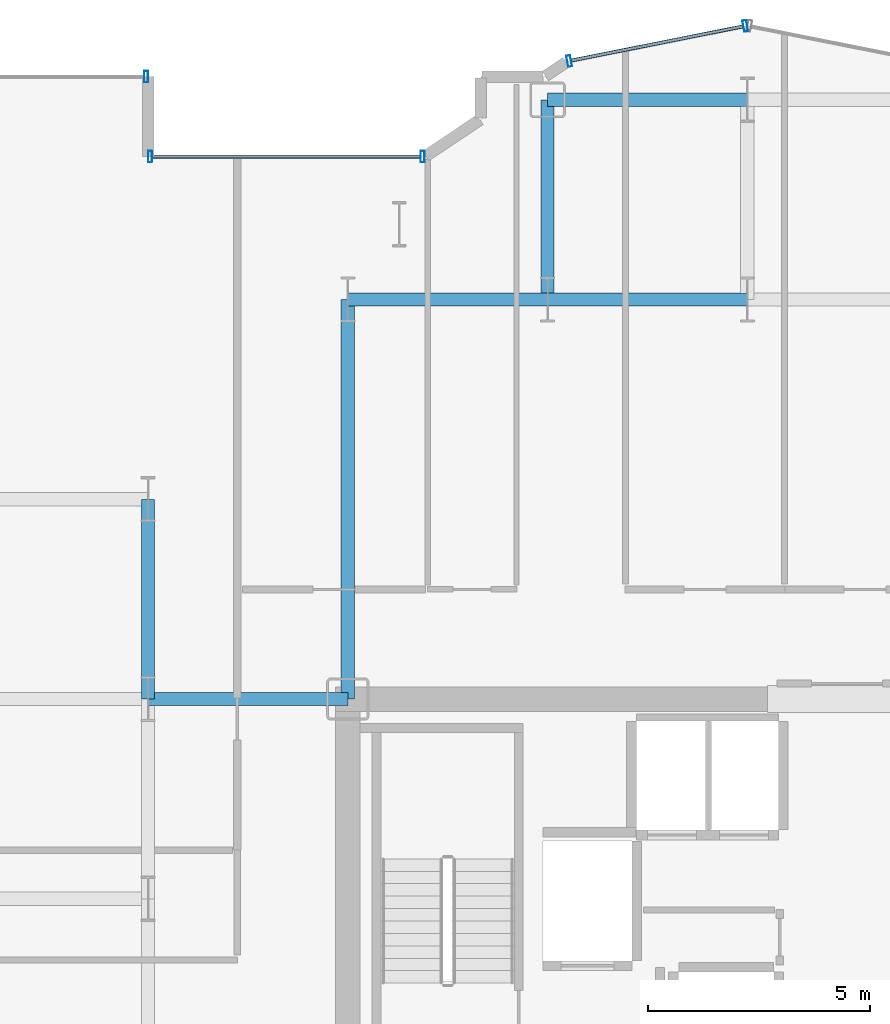
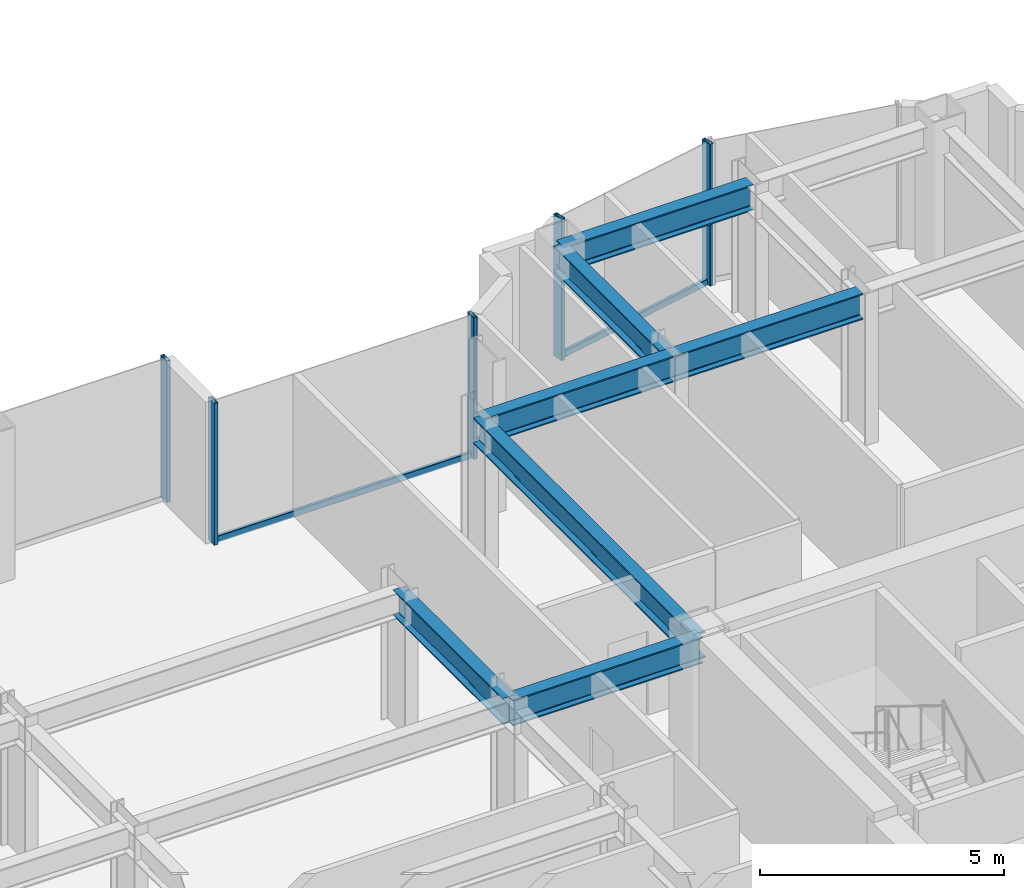
# One storey, part 10 of 26: 7 beams, 7 members, 3 elements without a shape of their own.
"""IFC4 building model written with IfcOpenShell, lengths in metres."""

from ifc_helpers import new_model, si_unit, direction, frame, origin, origin_2d, place, context, subcontext, project, spatial, hollow_rectangle, i_section, extrude, source, transform, mapped, material, layer, layer_set, material_profile, profile_set, type_object, element, aggregate, save


model = new_model("IFC4")

# Units and contexts
model_context = context("Model", 3, precision=1e-05, world=origin(), true_north=direction((0.0, 1.0)))
body_context = subcontext(model_context, "Body", "Model", "MODEL_VIEW")
ifc_project = project(units=[si_unit("LENGTHUNIT", "METRE"), si_unit("AREAUNIT", "SQUARE_METRE"), si_unit("VOLUMEUNIT", "CUBIC_METRE"), si_unit("PLANEANGLEUNIT", "RADIAN"), si_unit("MASSUNIT", "GRAM", prefix="KILO")], contexts=[model_context])

# Site, building, storey
site_placement = place(None, origin())
site = spatial("IfcSite", under=ifc_project, at=site_placement, CompositionType="ELEMENT")
building_placement = place(site_placement, origin())
building = spatial("IfcBuilding", under=site, at=building_placement, Name="Nefas-Gora Pilgrimage Tower", CompositionType="ELEMENT")
storey_placement = place(building_placement, frame((0.0, 0.0, 132.60009765625)))
storey = spatial("IfcBuildingStorey", under=building, at=storey_placement, Name="L32", CompositionType="ELEMENT", Elevation=132.60009765625)

# Beams
ifc_material_1 = material(Name="Steel S355", Category="steel")
ifc_material_profile_1 = material_profile(ifc_material_1, i_section(OverallWidth=0.300048828125, OverallDepth=0.64990234375, WebThickness=0.01611328125, FlangeThickness=0.031005859375, FilletRadius=0.027099609375, at=origin_2d()), Name="HEB 650")
ifc_profile_set_1 = profile_set([ifc_material_profile_1], Name="Steel S355")
beam_type = type_object("IfcBeamType", Name="BM-GIR-HEB650", PredefinedType="BEAM", material=ifc_profile_set_1)
shared_shape_1 = source(origin(), body_context, "Body", "SweptSolid", [
    extrude(i_section(OverallWidth=0.300048828125, OverallDepth=0.64990234375, WebThickness=0.01611328125, FlangeThickness=0.031005859375, FilletRadius=0.027099609375, at=origin_2d()), origin(), (0.0, 0.0, 1.0), 9.0),
])
beam_placement = place(storey_placement, frame((-11.25, 9.0, 3.224853515625), z_axis=(0.0, 1.0, 0.0), x_axis=(-1.0, 0.0, 0.0)))
element("IfcBeam", 1, at=beam_placement, inside=storey, type_object=beam_type, Name="L32 G-03 beam", PredefinedType="BEAM", context=body_context, shape_type="MappedRepresentation", body=[
    mapped(shared_shape_1, transform((0.0, 0.0, 0.0), x_axis=(1.0, 0.0, 0.0), y_axis=(0.0, 1.0, 0.0), z_axis=(0.0, 0.0, 1.0), scale=1.0)),
])
shared_shape_2 = source(origin(), body_context, "Body", "SweptSolid", [
    extrude(i_section(OverallWidth=0.300048828125, OverallDepth=0.64990234375, WebThickness=0.01611328125, FlangeThickness=0.031005859375, FilletRadius=0.027099609375, at=origin_2d()), origin(), (0.0, 0.0, 1.0), 4.5),
])
for number, where, z_axis, x_axis, name in (
    (2, (-15.75, 9.0, 3.224853515625), (0.0, 1.0, 0.0), (-1.0, 0.0, 0.0), "L32 G-03 beam"),
    (3, (-15.75, 9.0, 3.224853515625), (1.0, 0.0, 0.0), (0.0, 1.0, 0.0), "L32 G-03 beam"),
    (4, (-11.25, 18.0, 3.224853515625), (1.0, 0.0, 0.0), (0.0, 1.0, 0.0), "L32 G-03 beam"),
    (5, (-6.75, 18.0, 3.224853515625), (0.0, 1.0, 0.0), (-1.0, 0.0, 0.0), "L32 G-03 beam"),
    (6, (-6.75, 18.0, 3.224853515625), (1.0, 0.0, 0.0), (0.0, 1.0, 0.0), "L32 G-03 beam"),
    (7, (-6.75, 22.5, 3.224853515625), (1.0, 0.0, 0.0), (0.0, 1.0, 0.0), "L32 G-03 beam"),
):
    element("IfcBeam", number, at=place(storey_placement, frame(where, z_axis=z_axis, x_axis=x_axis)), inside=storey, type_object=beam_type, Name=name, PredefinedType="BEAM", context=body_context, shape_type="MappedRepresentation", body=[
        mapped(shared_shape_2, transform((0.0, 0.0, 0.0), x_axis=(1.0, 0.0, 0.0), y_axis=(0.0, 1.0, 0.0), z_axis=(0.0, 0.0, 1.0), scale=1.0)),
    ])

# Curtain wall, member
ifc_material_2 = material(Name="Dark ceramic-fritted solar-control aluminium-glass curtain wall", Category="aluminium")
ifc_layer_1 = layer(ifc_material_2, 0.219970703125)
ifc_layer_set_1 = layer_set([ifc_layer_1], Name="Dark ceramic-fritted solar-control aluminium-glass curtain wall")
curtain_wall_type_1 = type_object("IfcCurtainWallType", Name="CW-SYS-5", PredefinedType="NOTDEFINED", material=ifc_layer_set_1)
curtain_wall_1_placement = place(storey_placement, origin())
curtain_wall_1 = element("IfcCurtainWall", 8, at=curtain_wall_1_placement, inside=storey, type_object=curtain_wall_type_1, Name="L32 Unitised Curtain Wall CW5", PredefinedType="NOTDEFINED")
ifc_material_3 = material(Name="Anodised architectural aluminium", Category="aluminium")
ifc_material_profile_2 = material_profile(ifc_material_3, hollow_rectangle(XDim=0.080078125, YDim=0.159912109375, WallThickness=0.00439453125, InnerFilletRadius=0.00439453125, OuterFilletRadius=0.009033203125, at=origin_2d()), Name="ALU TRANSOM 80x160")
ifc_profile_set_2 = profile_set([ifc_material_profile_2], Name="Anodised architectural aluminium")
member_type_1 = type_object("IfcMemberType", Name="CWM-TRN-5", PredefinedType="USERDEFINED", material=ifc_profile_set_2)
shared_shape_3 = source(origin(), body_context, "Body", "SweptSolid", [
    extrude(hollow_rectangle(XDim=0.080078125, YDim=0.159912109375, WallThickness=0.00439453125, InnerFilletRadius=0.00439453125, OuterFilletRadius=0.009033203125, at=origin_2d()), origin(), (0.0, 0.0, 1.0), 6.052001953125),
])
member_1_placement = place(storey_placement, frame((-9.60791015625, 21.219970703125, 0.0498046875), z_axis=(-1.0, 0.0, 0.0), x_axis=(0.0, -1.0, 0.0)))
member_1 = element("IfcMember", 9, at=member_1_placement, type_object=member_type_1, Name="CW5 Spandrel Transom", ObjectType="TRANSOM", PredefinedType="USERDEFINED", context=body_context, shape_type="MappedRepresentation", body=[
    mapped(shared_shape_3, transform((0.0, 0.0, 0.0), x_axis=(1.0, 0.0, 0.0), y_axis=(0.0, 1.0, 0.0), z_axis=(0.0, 0.0, 1.0), scale=1.0)),
])

# Curtain wall, members
curtain_wall_2_placement = place(storey_placement, origin())
curtain_wall_2 = element("IfcCurtainWall", 10, at=curtain_wall_2_placement, inside=storey, type_object=curtain_wall_type_1, Name="L32 Unitised Curtain Wall CW5", PredefinedType="NOTDEFINED")
shared_shape_4 = source(origin(), body_context, "Body", "SweptSolid", [
    extrude(hollow_rectangle(XDim=0.080078125, YDim=0.159912109375, WallThickness=0.00439453125, InnerFilletRadius=0.00439453125, OuterFilletRadius=0.009033203125, at=origin_2d()), origin(), (0.0, 0.0, 1.0), 3.95654296875),
])
member_2_placement = place(storey_placement, frame((-2.33837890625, 24.15478515625, 0.0498046875), z_axis=(-0.980781880918, -0.195107411605, 0.0), x_axis=(0.195107411605, -0.980781880918, 0.0)))
member_2 = element("IfcMember", 11, at=member_2_placement, type_object=member_type_1, Name="CW5 Spandrel Transom", ObjectType="TRANSOM", PredefinedType="USERDEFINED", context=body_context, shape_type="MappedRepresentation", body=[
    mapped(shared_shape_4, transform((0.0, 0.0, 0.0), x_axis=(1.0, 0.0, 0.0), y_axis=(0.0, 1.0, 0.0), z_axis=(0.0, 0.0, 1.0), scale=1.0)),
])
ifc_material_profile_3 = material_profile(ifc_material_3, hollow_rectangle(XDim=0.090087890625, YDim=0.260009765625, WallThickness=0.006103515625, InnerFilletRadius=0.006103515625, OuterFilletRadius=0.011962890625, at=origin_2d()), Name="ALU MULLION 90x260")
ifc_profile_set_3 = profile_set([ifc_material_profile_3], Name="Anodised architectural aluminium")
member_type_2 = type_object("IfcMemberType", Name="CWM-MUL-5", PredefinedType="MULLION", material=ifc_profile_set_3)
shared_shape_5 = source(origin(), body_context, "Body", "SweptSolid", [
    extrude(hollow_rectangle(XDim=0.090087890625, YDim=0.260009765625, WallThickness=0.006103515625, InnerFilletRadius=0.006103515625, OuterFilletRadius=0.011962890625, at=origin_2d()), origin(), (0.0, 0.0, 1.0), 3.5498046875),
])
member_3_placement = place(storey_placement, frame((-2.294189453125, 24.16357421875, 0.0), z_axis=(0.0, 0.0, 1.0), x_axis=(-0.980782896852, -0.195102304554, 0.0)))
member_3 = element("IfcMember", 12, at=member_3_placement, type_object=member_type_2, Name="CW5 Mullion 1", PredefinedType="MULLION", context=body_context, shape_type="MappedRepresentation", body=[
    mapped(shared_shape_5, transform((0.0, 0.0, 0.0), x_axis=(1.0, 0.0, 0.0), y_axis=(0.0, 1.0, 0.0), z_axis=(0.0, 0.0, 1.0), scale=1.0)),
])
member_4_placement = place(storey_placement, frame((-6.26318359375, 23.3740234375, 0.0), z_axis=(0.0, 0.0, 1.0), x_axis=(-0.980782896852, -0.195102304554, 0.0)))
member_4 = element("IfcMember", 13, at=member_4_placement, type_object=member_type_2, Name="CW5 Mullion 2", PredefinedType="MULLION", context=body_context, shape_type="MappedRepresentation", body=[
    mapped(shared_shape_5, transform((0.0, 0.0, 0.0), x_axis=(1.0, 0.0, 0.0), y_axis=(0.0, 1.0, 0.0), z_axis=(0.0, 0.0, 1.0), scale=1.0)),
])
aggregate(curtain_wall_2, [member_3, member_4, member_2])

# Member
member_5_placement = place(storey_placement, frame((-9.56298828125, 21.219970703125, 0.0), z_axis=(0.0, 0.0, 1.0), x_axis=(-1.0, 0.0, 0.0)))
member_5 = element("IfcMember", 14, at=member_5_placement, type_object=member_type_2, Name="CW5 Mullion 1", PredefinedType="MULLION", context=body_context, shape_type="MappedRepresentation", body=[
    mapped(shared_shape_5, transform((0.0, 0.0, 0.0), x_axis=(1.0, 0.0, 0.0), y_axis=(0.0, 1.0, 0.0), z_axis=(0.0, 0.0, 1.0), scale=1.0)),
])

member_6_placement = place(storey_placement, frame((-15.705078125, 21.219970703125, 0.0), z_axis=(0.0, 0.0, 1.0), x_axis=(-1.0, 0.0, 0.0)))
member_6 = element("IfcMember", 15, at=member_6_placement, type_object=member_type_2, Name="CW5 Mullion 2", PredefinedType="MULLION", context=body_context, shape_type="MappedRepresentation", body=[
    mapped(shared_shape_5, transform((0.0, 0.0, 0.0), x_axis=(1.0, 0.0, 0.0), y_axis=(0.0, 1.0, 0.0), z_axis=(0.0, 0.0, 1.0), scale=1.0)),
])

aggregate(curtain_wall_1, [member_5, member_6, member_1])

# Curtain wall, member
ifc_layer_2 = layer(ifc_material_2, 0.219970703125)
ifc_layer_set_2 = layer_set([ifc_layer_2], Name="Dark ceramic-fritted solar-control aluminium-glass curtain wall")
curtain_wall_type_2 = type_object("IfcCurtainWallType", Name="CW-SYS-2", PredefinedType="NOTDEFINED", material=ifc_layer_set_2)
curtain_wall_3_placement = place(storey_placement, origin())
curtain_wall_3 = element("IfcCurtainWall", 16, at=curtain_wall_3_placement, inside=storey, type_object=curtain_wall_type_2, Name="L32 Unitised Curtain Wall CW2", PredefinedType="NOTDEFINED")
ifc_material_profile_4 = material_profile(ifc_material_3, hollow_rectangle(XDim=0.090087890625, YDim=0.260009765625, WallThickness=0.006103515625, InnerFilletRadius=0.006103515625, OuterFilletRadius=0.011962890625, at=origin_2d()), Name="ALU MULLION 90x260")
ifc_profile_set_4 = profile_set([ifc_material_profile_4], Name="Anodised architectural aluminium")
member_type_3 = type_object("IfcMemberType", Name="CWM-MUL-2", PredefinedType="MULLION", material=ifc_profile_set_4)
shared_shape_6 = source(origin(), body_context, "Body", "SweptSolid", [
    extrude(hollow_rectangle(XDim=0.090087890625, YDim=0.260009765625, WallThickness=0.006103515625, InnerFilletRadius=0.006103515625, OuterFilletRadius=0.011962890625, at=origin_2d()), origin(), (0.0, 0.0, 1.0), 3.5498046875),
])
member_7_placement = place(storey_placement, frame((-15.794921875, 23.02001953125, 0.0), z_axis=(0.0, 0.0, 1.0), x_axis=(-1.0, 0.0, 0.0)))
member_7 = element("IfcMember", 17, at=member_7_placement, type_object=member_type_3, Name="CW2 Mullion 1", PredefinedType="MULLION", context=body_context, shape_type="MappedRepresentation", body=[
    mapped(shared_shape_6, transform((0.0, 0.0, 0.0), x_axis=(1.0, 0.0, 0.0), y_axis=(0.0, 1.0, 0.0), z_axis=(0.0, 0.0, 1.0), scale=1.0)),
])
aggregate(curtain_wall_3, [member_7])

save(model, "model.ifc")
